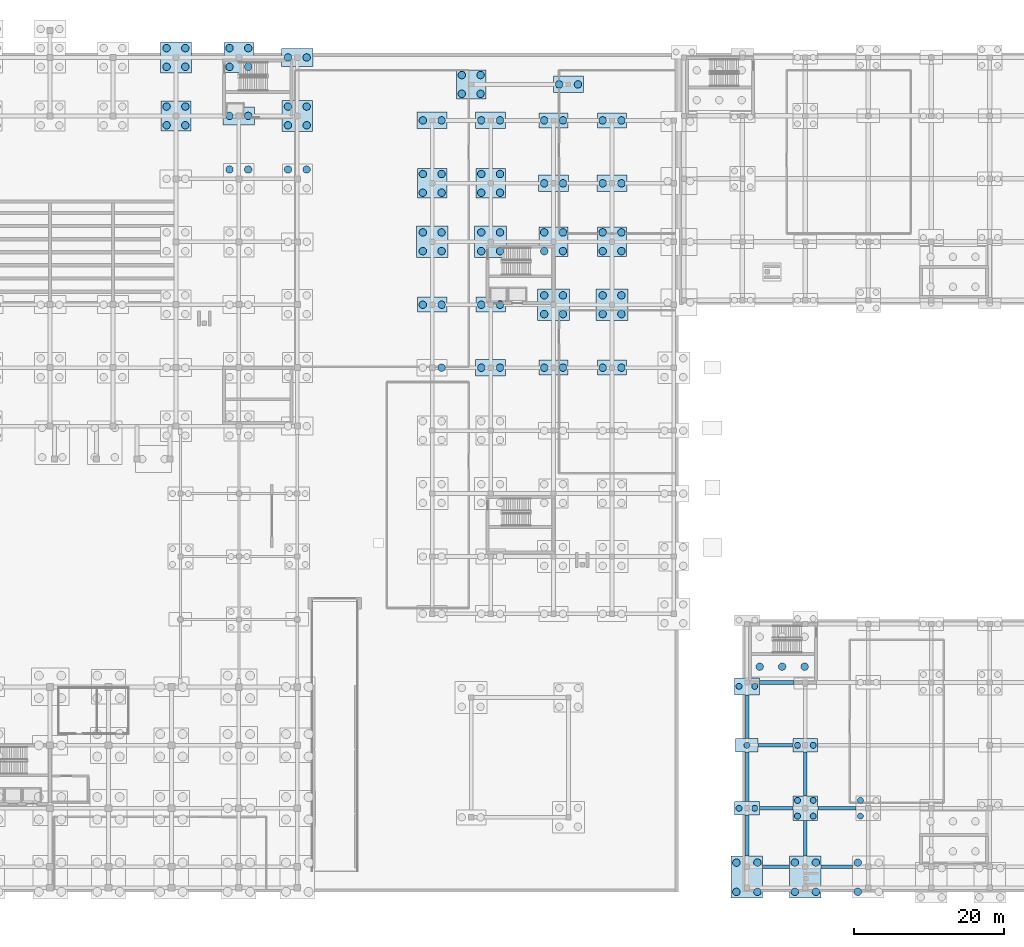
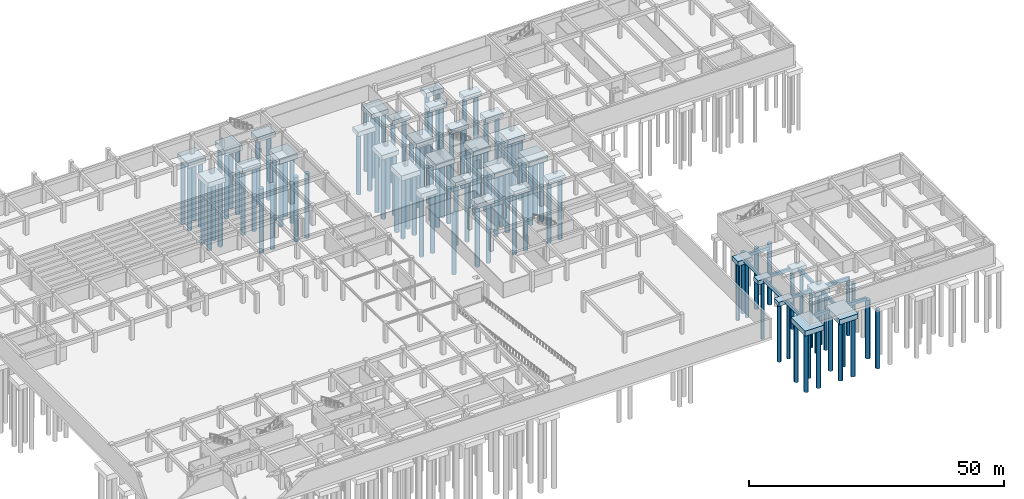
# One storey, part 4 of 35: 111 piles, 45 footings.
"""IFC4 building model written with IfcOpenShell, lengths in metres."""

from ifc_helpers import new_model, si_unit, direction, frame, origin, origin_2d, place, context, subcontext, project, spatial, rectangle, circle, extrude, material, material_profile, profile_set, type_object, element, save


model = new_model("IFC4")

# Units and contexts
model_context = context("Model", 3, precision=1e-05, world=origin(), true_north=direction((0.0, 1.0)))
body_context = subcontext(model_context, "Body", "Model", "MODEL_VIEW")
ifc_project = project(units=[si_unit("LENGTHUNIT", "METRE"), si_unit("AREAUNIT", "SQUARE_METRE"), si_unit("VOLUMEUNIT", "CUBIC_METRE"), si_unit("PLANEANGLEUNIT", "RADIAN"), si_unit("MASSUNIT", "GRAM", prefix="KILO")], contexts=[model_context])

# Site, building, storey
site_placement = place(None, origin())
site = spatial("IfcSite", under=ifc_project, at=site_placement, CompositionType="ELEMENT")
building_placement = place(site_placement, origin())
building = spatial("IfcBuilding", under=site, at=building_placement, Name="Zayran Congress Hotel", CompositionType="ELEMENT")
storey_placement = place(building_placement, frame((0.0, 0.0, -4.800048828125)))
storey = spatial("IfcBuildingStorey", under=building, at=storey_placement, Name="B1", CompositionType="ELEMENT", Elevation=-4.800048828125)

# Piles
ifc_material = material(Name="Concrete C40/50", Category="concrete")
ifc_material_profile_1 = material_profile(ifc_material, circle(Radius=0.5, at=origin_2d()), Name="PILE D1000")
ifc_profile_set_1 = profile_set([ifc_material_profile_1], Name="Concrete C40/50")
pile_type_1 = type_object("IfcPileType", Name="TP-PL-1000", PredefinedType="BORED", material=ifc_profile_set_1)
for number, where, z_axis, x_axis, name in (
    (1, (153.5, 36.10009765625, -1.599853515625), (0.0, 0.0, -1.0), (1.0, 0.0, 0.0), "PIL-0013"),
    (2, (156.5, 36.10009765625, -1.599853515625), (0.0, 0.0, -1.0), (1.0, 0.0, 0.0), "PIL-0015"),
    (3, (159.5, 36.10009765625, -1.599853515625), (0.0, 0.0, -1.0), (1.0, 0.0, 0.0), "PIL-0017"),
):
    element("IfcPile", number, at=place(storey_placement, frame(where, z_axis=z_axis, x_axis=x_axis)), inside=storey, type_object=pile_type_1, Name=name, PredefinedType="BORED", context=body_context, shape_type="SweptSolid", body=[
        extrude(circle(Radius=0.5, at=origin_2d()), origin(), (0.0, 0.0, 1.0), 14.60009765625),
    ])
for number, where, z_axis, x_axis, name in (
    (4, (74.35009765625, 108.35009765625, -1.699951171875), (0.0, 0.0, -1.0), (1.0, 0.0, 0.0), "PIL-0339"),
    (5, (76.85009765625, 108.35009765625, -1.699951171875), (0.0, 0.0, -1.0), (1.0, 0.0, 0.0), "PIL-0340"),
    (6, (74.35009765625, 110.85009765625, -1.699951171875), (0.0, 0.0, -1.0), (1.0, 0.0, 0.0), "PIL-0341"),
    (7, (76.85009765625, 110.85009765625, -1.699951171875), (0.0, 0.0, -1.0), (1.0, 0.0, 0.0), "PIL-0342"),
    (8, (74.35009765625, 116.14990234375, -1.699951171875), (0.0, 0.0, -1.0), (1.0, 0.0, 0.0), "PIL-0343"),
    (9, (76.85009765625, 116.14990234375, -1.699951171875), (0.0, 0.0, -1.0), (1.0, 0.0, 0.0), "PIL-0344"),
    (10, (74.35009765625, 118.64990234375, -1.699951171875), (0.0, 0.0, -1.0), (1.0, 0.0, 0.0), "PIL-0345"),
    (11, (76.85009765625, 118.64990234375, -1.699951171875), (0.0, 0.0, -1.0), (1.0, 0.0, 0.0), "PIL-0346"),
    (12, (82.75, 102.449951171875, -1.699951171875), (0.0, 0.0, -1.0), (1.0, 0.0, 0.0), "PIL-0391"),
    (13, (85.25, 102.449951171875, -1.699951171875), (0.0, 0.0, -1.0), (1.0, 0.0, 0.0), "PIL-0392"),
    (14, (82.75, 109.60009765625, -1.699951171875), (0.0, 0.0, -1.0), (1.0, 0.0, 0.0), "PIL-0393"),
    (15, (85.25, 109.60009765625, -1.699951171875), (0.0, 0.0, -1.0), (1.0, 0.0, 0.0), "PIL-0394"),
    (16, (82.75, 116.14990234375, -1.699951171875), (0.0, 0.0, -1.0), (1.0, 0.0, 0.0), "PIL-0395"),
    (17, (85.25, 116.14990234375, -1.699951171875), (0.0, 0.0, -1.0), (1.0, 0.0, 0.0), "PIL-0396"),
    (18, (82.75, 118.64990234375, -1.699951171875), (0.0, 0.0, -1.0), (1.0, 0.0, 0.0), "PIL-0397"),
    (19, (85.25, 118.64990234375, -1.699951171875), (0.0, 0.0, -1.0), (1.0, 0.0, 0.0), "PIL-0398"),
    (20, (90.550048828125, 102.449951171875, -1.699951171875), (0.0, 0.0, -1.0), (1.0, 0.0, 0.0), "PIL-0434"),
    (21, (93.050048828125, 102.449951171875, -1.699951171875), (0.0, 0.0, -1.0), (1.0, 0.0, 0.0), "PIL-0435"),
    (22, (90.550048828125, 108.35009765625, -1.699951171875), (0.0, 0.0, -1.0), (1.0, 0.0, 0.0), "PIL-0436"),
    (23, (93.050048828125, 108.35009765625, -1.699951171875), (0.0, 0.0, -1.0), (1.0, 0.0, 0.0), "PIL-0437"),
    (24, (90.550048828125, 110.85009765625, -1.699951171875), (0.0, 0.0, -1.0), (1.0, 0.0, 0.0), "PIL-0438"),
    (25, (93.050048828125, 110.85009765625, -1.699951171875), (0.0, 0.0, -1.0), (1.0, 0.0, 0.0), "PIL-0439"),
    (26, (90.550048828125, 117.39990234375, -1.699951171875), (0.0, 0.0, -1.0), (1.0, 0.0, 0.0), "PIL-0440"),
    (27, (93.050048828125, 117.39990234375, -1.699951171875), (0.0, 0.0, -1.0), (1.0, 0.0, 0.0), "PIL-0441"),
):
    element("IfcPile", number, at=place(storey_placement, frame(where, z_axis=z_axis, x_axis=x_axis)), inside=storey, type_object=pile_type_1, Name=name, PredefinedType="BORED", context=body_context, shape_type="SweptSolid", body=[
        extrude(circle(Radius=0.5, at=origin_2d()), origin(), (0.0, 0.0, 1.0), 15.5),
    ])
for number, where, z_axis, x_axis, name in (
    (28, (111.050048828125, 76.0, -1.599853515625), (0.0, 0.0, -1.0), (1.0, 0.0, 0.0), "PIL-0455"),
    (29, (108.550048828125, 84.39990234375, -1.599853515625), (0.0, 0.0, -1.0), (1.0, 0.0, 0.0), "PIL-0456"),
    (30, (111.050048828125, 84.39990234375, -1.599853515625), (0.0, 0.0, -1.0), (1.0, 0.0, 0.0), "PIL-0457"),
):
    element("IfcPile", number, at=place(storey_placement, frame(where, z_axis=z_axis, x_axis=x_axis)), inside=storey, type_object=pile_type_1, Name=name, PredefinedType="BORED", context=body_context, shape_type="SweptSolid", body=[
        extrude(circle(Radius=0.5, at=origin_2d()), origin(), (0.0, 0.0, 1.0), 14.60009765625),
    ])
for number, where, z_axis, x_axis, name in (
    (31, (108.550048828125, 91.550048828125, -1.699951171875), (0.0, 0.0, -1.0), (1.0, 0.0, 0.0), "PIL-0458"),
    (32, (111.050048828125, 91.550048828125, -1.699951171875), (0.0, 0.0, -1.0), (1.0, 0.0, 0.0), "PIL-0459"),
    (33, (108.550048828125, 94.050048828125, -1.699951171875), (0.0, 0.0, -1.0), (1.0, 0.0, 0.0), "PIL-0460"),
    (34, (111.050048828125, 94.050048828125, -1.699951171875), (0.0, 0.0, -1.0), (1.0, 0.0, 0.0), "PIL-0461"),
):
    element("IfcPile", number, at=place(storey_placement, frame(where, z_axis=z_axis, x_axis=x_axis)), inside=storey, type_object=pile_type_1, Name=name, PredefinedType="BORED", context=body_context, shape_type="SweptSolid", body=[
        extrude(circle(Radius=0.5, at=origin_2d()), origin(), (0.0, 0.0, 1.0), 14.5),
    ])
for number, where, z_axis, x_axis, name in (
    (35, (108.550048828125, 99.35009765625, -1.599853515625), (0.0, 0.0, -1.0), (1.0, 0.0, 0.0), "PIL-0462"),
    (36, (111.050048828125, 99.35009765625, -1.599853515625), (0.0, 0.0, -1.0), (1.0, 0.0, 0.0), "PIL-0463"),
    (37, (108.550048828125, 101.85009765625, -1.599853515625), (0.0, 0.0, -1.0), (1.0, 0.0, 0.0), "PIL-0464"),
    (38, (111.050048828125, 101.85009765625, -1.599853515625), (0.0, 0.0, -1.0), (1.0, 0.0, 0.0), "PIL-0465"),
    (39, (108.550048828125, 109.0, -1.599853515625), (0.0, 0.0, -1.0), (1.0, 0.0, 0.0), "PIL-0466"),
    (40, (111.050048828125, 109.0, -1.599853515625), (0.0, 0.0, -1.0), (1.0, 0.0, 0.0), "PIL-0467"),
    (41, (113.75, 112.550048828125, -1.599853515625), (0.0, 0.0, -1.0), (1.0, 0.0, 0.0), "PIL-0474"),
    (42, (116.25, 112.550048828125, -1.599853515625), (0.0, 0.0, -1.0), (1.0, 0.0, 0.0), "PIL-0475"),
    (43, (113.75, 115.050048828125, -1.599853515625), (0.0, 0.0, -1.0), (1.0, 0.0, 0.0), "PIL-0476"),
    (44, (116.25, 115.050048828125, -1.599853515625), (0.0, 0.0, -1.0), (1.0, 0.0, 0.0), "PIL-0477"),
    (45, (116.35009765625, 76.0, -1.599853515625), (0.0, 0.0, -1.0), (1.0, 0.0, 0.0), "PIL-0490"),
    (46, (118.85009765625, 76.0, -1.599853515625), (0.0, 0.0, -1.0), (1.0, 0.0, 0.0), "PIL-0491"),
    (47, (116.35009765625, 84.39990234375, -1.599853515625), (0.0, 0.0, -1.0), (1.0, 0.0, 0.0), "PIL-0492"),
    (48, (118.85009765625, 84.39990234375, -1.599853515625), (0.0, 0.0, -1.0), (1.0, 0.0, 0.0), "PIL-0493"),
):
    element("IfcPile", number, at=place(storey_placement, frame(where, z_axis=z_axis, x_axis=x_axis)), inside=storey, type_object=pile_type_1, Name=name, PredefinedType="BORED", context=body_context, shape_type="SweptSolid", body=[
        extrude(circle(Radius=0.5, at=origin_2d()), origin(), (0.0, 0.0, 1.0), 14.60009765625),
    ])
for number, where, z_axis, x_axis, name in (
    (49, (116.35009765625, 91.550048828125, -1.699951171875), (0.0, 0.0, -1.0), (1.0, 0.0, 0.0), "PIL-0494"),
    (50, (118.85009765625, 91.550048828125, -1.699951171875), (0.0, 0.0, -1.0), (1.0, 0.0, 0.0), "PIL-0495"),
    (51, (116.35009765625, 94.050048828125, -1.699951171875), (0.0, 0.0, -1.0), (1.0, 0.0, 0.0), "PIL-0496"),
    (52, (118.85009765625, 94.050048828125, -1.699951171875), (0.0, 0.0, -1.0), (1.0, 0.0, 0.0), "PIL-0497"),
):
    element("IfcPile", number, at=place(storey_placement, frame(where, z_axis=z_axis, x_axis=x_axis)), inside=storey, type_object=pile_type_1, Name=name, PredefinedType="BORED", context=body_context, shape_type="SweptSolid", body=[
        extrude(circle(Radius=0.5, at=origin_2d()), origin(), (0.0, 0.0, 1.0), 14.5),
    ])
for number, where, z_axis, x_axis, name in (
    (53, (116.35009765625, 99.35009765625, -1.599853515625), (0.0, 0.0, -1.0), (1.0, 0.0, 0.0), "PIL-0498"),
    (54, (118.85009765625, 99.35009765625, -1.599853515625), (0.0, 0.0, -1.0), (1.0, 0.0, 0.0), "PIL-0499"),
    (55, (116.35009765625, 101.85009765625, -1.599853515625), (0.0, 0.0, -1.0), (1.0, 0.0, 0.0), "PIL-0500"),
    (56, (118.85009765625, 101.85009765625, -1.599853515625), (0.0, 0.0, -1.0), (1.0, 0.0, 0.0), "PIL-0501"),
    (57, (116.35009765625, 109.0, -1.599853515625), (0.0, 0.0, -1.0), (1.0, 0.0, 0.0), "PIL-0502"),
    (58, (118.85009765625, 109.0, -1.599853515625), (0.0, 0.0, -1.0), (1.0, 0.0, 0.0), "PIL-0503"),
    (59, (124.75, 76.0, -1.599853515625), (0.0, 0.0, -1.0), (1.0, 0.0, 0.0), "PIL-0516"),
    (60, (127.25, 76.0, -1.599853515625), (0.0, 0.0, -1.0), (1.0, 0.0, 0.0), "PIL-0517"),
):
    element("IfcPile", number, at=place(storey_placement, frame(where, z_axis=z_axis, x_axis=x_axis)), inside=storey, type_object=pile_type_1, Name=name, PredefinedType="BORED", context=body_context, shape_type="SweptSolid", body=[
        extrude(circle(Radius=0.5, at=origin_2d()), origin(), (0.0, 0.0, 1.0), 14.60009765625),
    ])
for number, where, z_axis, x_axis, name in (
    (61, (124.75, 83.14990234375, -1.699951171875), (0.0, 0.0, -1.0), (1.0, 0.0, 0.0), "PIL-0518"),
    (62, (127.25, 83.14990234375, -1.699951171875), (0.0, 0.0, -1.0), (1.0, 0.0, 0.0), "PIL-0519"),
    (63, (124.75, 85.64990234375, -1.699951171875), (0.0, 0.0, -1.0), (1.0, 0.0, 0.0), "PIL-0520"),
    (64, (127.25, 85.64990234375, -1.699951171875), (0.0, 0.0, -1.0), (1.0, 0.0, 0.0), "PIL-0521"),
):
    element("IfcPile", number, at=place(storey_placement, frame(where, z_axis=z_axis, x_axis=x_axis)), inside=storey, type_object=pile_type_1, Name=name, PredefinedType="BORED", context=body_context, shape_type="SweptSolid", body=[
        extrude(circle(Radius=0.5, at=origin_2d()), origin(), (0.0, 0.0, 1.0), 14.5),
    ])
for number, where, z_axis, x_axis, name in (
    (65, (124.75, 91.550048828125, -1.599853515625), (0.0, 0.0, -1.0), (1.0, 0.0, 0.0), "PIL-0522"),
    (66, (127.25, 91.550048828125, -1.599853515625), (0.0, 0.0, -1.0), (1.0, 0.0, 0.0), "PIL-0523"),
    (67, (124.75, 94.050048828125, -1.599853515625), (0.0, 0.0, -1.0), (1.0, 0.0, 0.0), "PIL-0524"),
    (68, (127.25, 94.050048828125, -1.599853515625), (0.0, 0.0, -1.0), (1.0, 0.0, 0.0), "PIL-0525"),
    (69, (124.75, 100.60009765625, -1.599853515625), (0.0, 0.0, -1.0), (1.0, 0.0, 0.0), "PIL-0526"),
    (70, (127.25, 100.60009765625, -1.599853515625), (0.0, 0.0, -1.0), (1.0, 0.0, 0.0), "PIL-0527"),
    (71, (124.75, 109.0, -1.599853515625), (0.0, 0.0, -1.0), (1.0, 0.0, 0.0), "PIL-0528"),
    (72, (127.25, 109.0, -1.599853515625), (0.0, 0.0, -1.0), (1.0, 0.0, 0.0), "PIL-0529"),
    (73, (126.75, 113.800048828125, -1.599853515625), (0.0, 0.0, -1.0), (1.0, 0.0, 0.0), "PIL-0538"),
    (74, (129.25, 113.800048828125, -1.599853515625), (0.0, 0.0, -1.0), (1.0, 0.0, 0.0), "PIL-0539"),
    (75, (132.550048828125, 76.0, -1.599853515625), (0.0, 0.0, -1.0), (1.0, 0.0, 0.0), "PIL-0552"),
    (76, (135.050048828125, 76.0, -1.599853515625), (0.0, 0.0, -1.0), (1.0, 0.0, 0.0), "PIL-0553"),
):
    element("IfcPile", number, at=place(storey_placement, frame(where, z_axis=z_axis, x_axis=x_axis)), inside=storey, type_object=pile_type_1, Name=name, PredefinedType="BORED", context=body_context, shape_type="SweptSolid", body=[
        extrude(circle(Radius=0.5, at=origin_2d()), origin(), (0.0, 0.0, 1.0), 14.60009765625),
    ])
for number, where, z_axis, x_axis, name in (
    (77, (132.550048828125, 83.14990234375, -1.699951171875), (0.0, 0.0, -1.0), (1.0, 0.0, 0.0), "PIL-0554"),
    (78, (135.050048828125, 83.14990234375, -1.699951171875), (0.0, 0.0, -1.0), (1.0, 0.0, 0.0), "PIL-0555"),
    (79, (132.550048828125, 85.64990234375, -1.699951171875), (0.0, 0.0, -1.0), (1.0, 0.0, 0.0), "PIL-0556"),
    (80, (135.050048828125, 85.64990234375, -1.699951171875), (0.0, 0.0, -1.0), (1.0, 0.0, 0.0), "PIL-0557"),
):
    element("IfcPile", number, at=place(storey_placement, frame(where, z_axis=z_axis, x_axis=x_axis)), inside=storey, type_object=pile_type_1, Name=name, PredefinedType="BORED", context=body_context, shape_type="SweptSolid", body=[
        extrude(circle(Radius=0.5, at=origin_2d()), origin(), (0.0, 0.0, 1.0), 14.5),
    ])
for number, where, z_axis, x_axis, name in (
    (81, (132.550048828125, 91.550048828125, -1.599853515625), (0.0, 0.0, -1.0), (1.0, 0.0, 0.0), "PIL-0558"),
    (82, (135.050048828125, 91.550048828125, -1.599853515625), (0.0, 0.0, -1.0), (1.0, 0.0, 0.0), "PIL-0559"),
    (83, (132.550048828125, 94.050048828125, -1.599853515625), (0.0, 0.0, -1.0), (1.0, 0.0, 0.0), "PIL-0560"),
    (84, (135.050048828125, 94.050048828125, -1.599853515625), (0.0, 0.0, -1.0), (1.0, 0.0, 0.0), "PIL-0561"),
    (85, (132.550048828125, 100.60009765625, -1.599853515625), (0.0, 0.0, -1.0), (1.0, 0.0, 0.0), "PIL-0562"),
    (86, (135.050048828125, 100.60009765625, -1.599853515625), (0.0, 0.0, -1.0), (1.0, 0.0, 0.0), "PIL-0563"),
    (87, (132.550048828125, 109.0, -1.599853515625), (0.0, 0.0, -1.0), (1.0, 0.0, 0.0), "PIL-0564"),
    (88, (135.050048828125, 109.0, -1.599853515625), (0.0, 0.0, -1.0), (1.0, 0.0, 0.0), "PIL-0565"),
):
    element("IfcPile", number, at=place(storey_placement, frame(where, z_axis=z_axis, x_axis=x_axis)), inside=storey, type_object=pile_type_1, Name=name, PredefinedType="BORED", context=body_context, shape_type="SweptSolid", body=[
        extrude(circle(Radius=0.5, at=origin_2d()), origin(), (0.0, 0.0, 1.0), 14.60009765625),
    ])
for number, where, z_axis, x_axis, name in (
    (89, (150.39990234375, 6.050048828125, -1.699951171875), (0.0, 0.0, -1.0), (1.0, 0.0, 0.0), "PIL-0602"),
    (90, (153.199951171875, 6.050048828125, -1.699951171875), (0.0, 0.0, -1.0), (1.0, 0.0, 0.0), "PIL-0603"),
    (91, (150.39990234375, 9.949951171875, -1.699951171875), (0.0, 0.0, -1.0), (1.0, 0.0, 0.0), "PIL-0604"),
    (92, (153.199951171875, 9.949951171875, -1.699951171875), (0.0, 0.0, -1.0), (1.0, 0.0, 0.0), "PIL-0605"),
    (93, (158.199951171875, 6.050048828125, -1.699951171875), (0.0, 0.0, -1.0), (1.0, 0.0, 0.0), "PIL-0613"),
    (94, (161.0, 6.050048828125, -1.699951171875), (0.0, 0.0, -1.0), (1.0, 0.0, 0.0), "PIL-0614"),
    (95, (158.199951171875, 9.949951171875, -1.699951171875), (0.0, 0.0, -1.0), (1.0, 0.0, 0.0), "PIL-0615"),
    (96, (161.0, 9.949951171875, -1.699951171875), (0.0, 0.0, -1.0), (1.0, 0.0, 0.0), "PIL-0616"),
    (97, (166.60009765625, 6.050048828125, -1.699951171875), (0.0, 0.0, -1.0), (1.0, 0.0, 0.0), "PIL-0635"),
    (98, (166.60009765625, 9.949951171875, -1.699951171875), (0.0, 0.0, -1.0), (1.0, 0.0, 0.0), "PIL-0637"),
):
    element("IfcPile", number, at=place(storey_placement, frame(where, z_axis=z_axis, x_axis=x_axis)), inside=storey, type_object=pile_type_1, Name=name, PredefinedType="BORED", context=body_context, shape_type="SweptSolid", body=[
        extrude(circle(Radius=0.5, at=origin_2d()), origin(), (0.0, 0.0, 1.0), 14.0),
    ])
ifc_material_profile_2 = material_profile(ifc_material, circle(Radius=0.39990234375, at=origin_2d()), Name="PILE D800")
ifc_profile_set_2 = profile_set([ifc_material_profile_2], Name="Concrete C40/50")
pile_type_2 = type_object("IfcPileType", Name="TP-PL-800", PredefinedType="BORED", material=ifc_profile_set_2)
for number, where, z_axis, x_axis, name in (
    (99, (150.75, 17.199951171875, -1.5), (0.0, 0.0, -1.0), (1.0, 0.0, 0.0), "PIL-0606"),
    (100, (152.85009765625, 17.199951171875, -1.5), (0.0, 0.0, -1.0), (1.0, 0.0, 0.0), "PIL-0607"),
    (101, (151.800048828125, 25.60009765625, -1.5), (0.0, 0.0, -1.0), (1.0, 0.0, 0.0), "PIL-0608"),
):
    element("IfcPile", number, at=place(storey_placement, frame(where, z_axis=z_axis, x_axis=x_axis)), inside=storey, type_object=pile_type_2, Name=name, PredefinedType="BORED", context=body_context, shape_type="SweptSolid", body=[
        extrude(circle(Radius=0.39990234375, at=origin_2d()), origin(), (0.0, 0.0, 1.0), 13.89990234375),
    ])
for number, where, z_axis, x_axis, name in (
    (102, (150.75, 33.47509765625, -1.599853515625), (0.0, 0.0, -1.0), (1.0, 0.0, 0.0), "PIL-0609"),
    (103, (152.85009765625, 33.47509765625, -1.599853515625), (0.0, 0.0, -1.0), (1.0, 0.0, 0.0), "PIL-0610"),
    (104, (158.550048828125, 16.14990234375, -1.599853515625), (0.0, 0.0, -1.0), (1.0, 0.0, 0.0), "PIL-0617"),
    (105, (160.64990234375, 16.14990234375, -1.599853515625), (0.0, 0.0, -1.0), (1.0, 0.0, 0.0), "PIL-0618"),
    (106, (158.550048828125, 18.25, -1.599853515625), (0.0, 0.0, -1.0), (1.0, 0.0, 0.0), "PIL-0619"),
    (107, (160.64990234375, 18.25, -1.599853515625), (0.0, 0.0, -1.0), (1.0, 0.0, 0.0), "PIL-0620"),
):
    element("IfcPile", number, at=place(storey_placement, frame(where, z_axis=z_axis, x_axis=x_axis)), inside=storey, type_object=pile_type_2, Name=name, PredefinedType="BORED", context=body_context, shape_type="SweptSolid", body=[
        extrude(circle(Radius=0.39990234375, at=origin_2d()), origin(), (0.0, 0.0, 1.0), 13.800048828125),
    ])
for number, where, z_axis, x_axis, name in (
    (108, (158.550048828125, 25.60009765625, -1.5), (0.0, 0.0, -1.0), (1.0, 0.0, 0.0), "PIL-0621"),
    (109, (160.64990234375, 25.60009765625, -1.5), (0.0, 0.0, -1.0), (1.0, 0.0, 0.0), "PIL-0622"),
):
    element("IfcPile", number, at=place(storey_placement, frame(where, z_axis=z_axis, x_axis=x_axis)), inside=storey, type_object=pile_type_2, Name=name, PredefinedType="BORED", context=body_context, shape_type="SweptSolid", body=[
        extrude(circle(Radius=0.39990234375, at=origin_2d()), origin(), (0.0, 0.0, 1.0), 13.89990234375),
    ])
for number, where, z_axis, x_axis, name in (
    (110, (166.949951171875, 16.14990234375, -1.599853515625), (0.0, 0.0, -1.0), (1.0, 0.0, 0.0), "PIL-0639"),
    (111, (166.949951171875, 18.25, -1.599853515625), (0.0, 0.0, -1.0), (1.0, 0.0, 0.0), "PIL-0641"),
):
    element("IfcPile", number, at=place(storey_placement, frame(where, z_axis=z_axis, x_axis=x_axis)), inside=storey, type_object=pile_type_2, Name=name, PredefinedType="BORED", context=body_context, shape_type="SweptSolid", body=[
        extrude(circle(Radius=0.39990234375, at=origin_2d()), origin(), (0.0, 0.0, 1.0), 13.800048828125),
    ])

# Footings
footing_type_1 = type_object("IfcFootingType", Name="TP-PC-04", PredefinedType="PILE_CAP", material=ifc_material)
for number, where, z_axis, x_axis, name in (
    (112, (75.60009765625, 109.60009765625, -1.7998046875), (0.0, 0.0, 1.0), (1.0, 0.0, 0.0), "FTG-CAP-093"),
    (113, (84.0, 117.39990234375, -1.7998046875), (0.0, 0.0, 1.0), (1.0, 0.0, 0.0), "FTG-CAP-111"),
):
    element("IfcFooting", number, at=place(storey_placement, frame(where, z_axis=z_axis, x_axis=x_axis)), inside=storey, type_object=footing_type_1, Name=name, PredefinedType="PILE_CAP", context=body_context, shape_type="SweptSolid", body=[
        extrude(rectangle(XDim=4.0, YDim=4.0, at=origin_2d()), origin(), (0.0, 0.0, 1.0), 1.199951171875),
    ])
footing_type_2 = type_object("IfcFootingType", Name="TP-PC-05", PredefinedType="PILE_CAP", material=ifc_material)
for number, where, z_axis, x_axis, name in (
    (114, (75.60009765625, 117.39990234375, -1.7998046875), (0.0, 0.0, 1.0), (1.0, 0.0, 0.0), "FTG-CAP-094"),
    (115, (91.800048828125, 109.60009765625, -1.7998046875), (0.0, 0.0, 1.0), (1.0, 0.0, 0.0), "FTG-CAP-124"),
):
    element("IfcFooting", number, at=place(storey_placement, frame(where, z_axis=z_axis, x_axis=x_axis)), inside=storey, type_object=footing_type_2, Name=name, PredefinedType="PILE_CAP", context=body_context, shape_type="SweptSolid", body=[
        extrude(rectangle(XDim=4.10009765625, YDim=4.10009765625, at=origin_2d()), origin(), (0.0, 0.0, 1.0), 1.199951171875),
    ])
footing_type_3 = type_object("IfcFootingType", Name="TP-PC-06", PredefinedType="PILE_CAP", material=ifc_material)
for number, where, z_axis, x_axis, name in (
    (116, (109.800048828125, 92.800048828125, -1.7998046875), (0.0, 0.0, 1.0), (1.0, 0.0, 0.0), "FTG-CAP-132"),
    (117, (117.60009765625, 92.800048828125, -1.7998046875), (0.0, 0.0, 1.0), (1.0, 0.0, 0.0), "FTG-CAP-144"),
    (118, (126.0, 84.39990234375, -1.7998046875), (0.0, 0.0, 1.0), (1.0, 0.0, 0.0), "FTG-CAP-152"),
    (119, (133.800048828125, 84.39990234375, -1.7998046875), (0.0, 0.0, 1.0), (1.0, 0.0, 0.0), "FTG-CAP-164"),
):
    element("IfcFooting", number, at=place(storey_placement, frame(where, z_axis=z_axis, x_axis=x_axis)), inside=storey, type_object=footing_type_3, Name=name, PredefinedType="PILE_CAP", context=body_context, shape_type="SweptSolid", body=[
        extrude(rectangle(XDim=4.25, YDim=4.25, at=origin_2d()), origin(), (0.0, 0.0, 1.0), 1.199951171875),
    ])
footing_type_4 = type_object("IfcFootingType", Name="TP-PC-07", PredefinedType="PILE_CAP", material=ifc_material)
for number, where, z_axis, x_axis, name in (
    (120, (109.800048828125, 100.60009765625, -1.699951171875), (0.0, 0.0, 1.0), (1.0, 0.0, 0.0), "FTG-CAP-133"),
    (121, (115.0, 113.800048828125, -1.699951171875), (0.0, 0.0, 1.0), (1.0, 0.0, 0.0), "FTG-CAP-137"),
    (122, (117.60009765625, 100.60009765625, -1.699951171875), (0.0, 0.0, 1.0), (1.0, 0.0, 0.0), "FTG-CAP-145"),
    (123, (126.0, 92.800048828125, -1.699951171875), (0.0, 0.0, 1.0), (1.0, 0.0, 0.0), "FTG-CAP-153"),
    (124, (133.800048828125, 92.800048828125, -1.699951171875), (0.0, 0.0, 1.0), (1.0, 0.0, 0.0), "FTG-CAP-165"),
):
    element("IfcFooting", number, at=place(storey_placement, frame(where, z_axis=z_axis, x_axis=x_axis)), inside=storey, type_object=footing_type_4, Name=name, PredefinedType="PILE_CAP", context=body_context, shape_type="SweptSolid", body=[
        extrude(rectangle(XDim=3.89990234375, YDim=3.89990234375, at=origin_2d()), origin(), (0.0, 0.0, 1.0), 1.10009765625),
    ])
footing_type_5 = type_object("IfcFootingType", Name="TP-PC-08", PredefinedType="PILE_CAP", material=ifc_material)
footing_1_placement = place(storey_placement, frame((159.60009765625, 17.199951171875, -1.699951171875), z_axis=(0.0, 0.0, 1.0), x_axis=(1.0, 0.0, 0.0)))
element("IfcFooting", 125, at=footing_1_placement, inside=storey, type_object=footing_type_5, Name="FTG-CAP-189", PredefinedType="PILE_CAP", context=body_context, shape_type="SweptSolid", body=[
    extrude(rectangle(XDim=3.300048828125, YDim=3.300048828125, at=origin_2d()), origin(), (0.0, 0.0, 1.0), 1.10009765625),
])
footing_type_6 = type_object("IfcFootingType", Name="TP-PC-10", PredefinedType="PILE_CAP", material=ifc_material)
for number, where, z_axis, x_axis, name in (
    (126, (84.0, 109.60009765625, -1.7998046875), (0.0, 0.0, 1.0), (1.0, 0.0, 0.0), "FTG-CAP-110"),
    (127, (91.800048828125, 117.39990234375, -1.7998046875), (0.0, 0.0, 1.0), (1.0, 0.0, 0.0), "FTG-CAP-125"),
):
    element("IfcFooting", number, at=place(storey_placement, frame(where, z_axis=z_axis, x_axis=x_axis)), inside=storey, type_object=footing_type_6, Name=name, PredefinedType="PILE_CAP", context=body_context, shape_type="SweptSolid", body=[
        extrude(rectangle(XDim=4.199951171875, YDim=2.39990234375, at=origin_2d()), origin(), (0.0, 0.0, 1.0), 1.199951171875),
    ])
footing_type_7 = type_object("IfcFootingType", Name="TP-PC-11", PredefinedType="PILE_CAP", material=ifc_material)
for number, where, z_axis, x_axis, name in (
    (128, (109.800048828125, 109.0, -1.699951171875), (0.0, 0.0, 1.0), (1.0, 0.0, 0.0), "FTG-CAP-134"),
    (129, (117.60009765625, 76.0, -1.699951171875), (0.0, 0.0, 1.0), (1.0, 0.0, 0.0), "FTG-CAP-142"),
    (130, (117.60009765625, 109.0, -1.699951171875), (0.0, 0.0, 1.0), (1.0, 0.0, 0.0), "FTG-CAP-146"),
    (131, (126.0, 100.60009765625, -1.699951171875), (0.0, 0.0, 1.0), (1.0, 0.0, 0.0), "FTG-CAP-154"),
    (132, (128.0, 113.800048828125, -1.699951171875), (0.0, 0.0, 1.0), (1.0, 0.0, 0.0), "FTG-CAP-158"),
    (133, (133.800048828125, 100.60009765625, -1.699951171875), (0.0, 0.0, 1.0), (1.0, 0.0, 0.0), "FTG-CAP-166"),
):
    element("IfcFooting", number, at=place(storey_placement, frame(where, z_axis=z_axis, x_axis=x_axis)), inside=storey, type_object=footing_type_7, Name=name, PredefinedType="PILE_CAP", context=body_context, shape_type="SweptSolid", body=[
        extrude(rectangle(XDim=4.0, YDim=2.199951171875, at=origin_2d()), origin(), (0.0, 0.0, 1.0), 1.10009765625),
    ])
footing_type_8 = type_object("IfcFootingType", Name="TP-PC-12", PredefinedType="PILE_CAP", material=ifc_material)
for number, where, z_axis, x_axis, name in (
    (134, (109.800048828125, 84.39990234375, -1.699951171875), (0.0, 0.0, 1.0), (1.0, 0.0, 0.0), "FTG-CAP-131"),
    (135, (117.60009765625, 84.39990234375, -1.699951171875), (0.0, 0.0, 1.0), (1.0, 0.0, 0.0), "FTG-CAP-143"),
    (136, (126.0, 76.0, -1.699951171875), (0.0, 0.0, 1.0), (1.0, 0.0, 0.0), "FTG-CAP-151"),
    (137, (126.0, 109.0, -1.699951171875), (0.0, 0.0, 1.0), (1.0, 0.0, 0.0), "FTG-CAP-155"),
    (138, (133.800048828125, 76.0, -1.699951171875), (0.0, 0.0, 1.0), (1.0, 0.0, 0.0), "FTG-CAP-163"),
    (139, (133.800048828125, 109.0, -1.699951171875), (0.0, 0.0, 1.0), (1.0, 0.0, 0.0), "FTG-CAP-167"),
):
    element("IfcFooting", number, at=place(storey_placement, frame(where, z_axis=z_axis, x_axis=x_axis)), inside=storey, type_object=footing_type_8, Name=name, PredefinedType="PILE_CAP", context=body_context, shape_type="SweptSolid", body=[
        extrude(rectangle(XDim=3.89990234375, YDim=2.0, at=origin_2d()), origin(), (0.0, 0.0, 1.0), 1.10009765625),
    ])
footing_type_9 = type_object("IfcFootingType", Name="TP-PC-13", PredefinedType="PILE_CAP", material=ifc_material)
for number, where, z_axis, x_axis, name in (
    (140, (151.800048828125, 17.199951171875, -1.599853515625), (0.0, 0.0, 1.0), (1.0, 0.0, 0.0), "FTG-CAP-184"),
    (141, (159.60009765625, 25.60009765625, -1.599853515625), (0.0, 0.0, 1.0), (1.0, 0.0, 0.0), "FTG-CAP-190"),
):
    element("IfcFooting", number, at=place(storey_placement, frame(where, z_axis=z_axis, x_axis=x_axis)), inside=storey, type_object=footing_type_9, Name=name, PredefinedType="PILE_CAP", context=body_context, shape_type="SweptSolid", body=[
        extrude(rectangle(XDim=3.300048828125, YDim=1.800048828125, at=origin_2d()), origin(), (0.0, 0.0, 1.0), 1.0),
    ])
footing_type_10 = type_object("IfcFootingType", Name="TP-PC-14", PredefinedType="PILE_CAP", material=ifc_material)
footing_2_placement = place(storey_placement, frame((151.800048828125, 25.60009765625, -1.599853515625), z_axis=(0.0, 0.0, 1.0), x_axis=(1.0, 0.0, 0.0)))
element("IfcFooting", 142, at=footing_2_placement, inside=storey, type_object=footing_type_10, Name="FTG-CAP-185", PredefinedType="PILE_CAP", context=body_context, shape_type="SweptSolid", body=[
    extrude(rectangle(XDim=3.0, YDim=1.800048828125, at=origin_2d()), origin(), (0.0, 0.0, 1.0), 1.0),
])
footing_type_11 = type_object("IfcFootingType", Name="TP-PC-16", PredefinedType="PILE_CAP", material=ifc_material)
for number, where, z_axis, x_axis, name in (
    (143, (151.800048828125, 8.0, -1.7998046875), (0.0, 0.0, 1.0), (1.0, 0.0, 0.0), "FTG-CAP-183"),
    (144, (159.60009765625, 8.0, -1.7998046875), (0.0, 0.0, 1.0), (1.0, 0.0, 0.0), "FTG-CAP-188"),
):
    element("IfcFooting", number, at=place(storey_placement, frame(where, z_axis=z_axis, x_axis=x_axis)), inside=storey, type_object=footing_type_11, Name=name, PredefinedType="PILE_CAP", context=body_context, shape_type="SweptSolid", body=[
        extrude(rectangle(XDim=4.199951171875, YDim=5.60009765625, at=origin_2d()), origin(), (0.0, 0.0, 1.0), 1.199951171875),
    ])
footing_type_12 = type_object("IfcFootingType", Name="TP-GB-02", PredefinedType="FOOTING_BEAM", material=ifc_material)
footing_3_placement = place(storey_placement, frame((155.699951171875, 9.39990234375, -1.349853515625), z_axis=(0.0, 0.0, 1.0), x_axis=(1.0, 0.0, 0.0)))
element("IfcFooting", 145, at=footing_3_placement, inside=storey, type_object=footing_type_12, Name="FTG-GB-052", PredefinedType="FOOTING_BEAM", context=body_context, shape_type="SweptSolid", body=[
    extrude(rectangle(XDim=3.580078125, YDim=0.5, at=origin_2d()), origin(), (0.0, 0.0, 1.0), 0.75),
])
footing_4_placement = place(storey_placement, frame((163.800048828125, 9.39990234375, -1.349853515625), z_axis=(0.0, 0.0, 1.0), x_axis=(1.0, 0.0, 0.0)))
element("IfcFooting", 146, at=footing_4_placement, inside=storey, type_object=footing_type_12, Name="FTG-GB-053", PredefinedType="FOOTING_BEAM", context=body_context, shape_type="SweptSolid", body=[
    extrude(rectangle(XDim=4.179931640625, YDim=0.5, at=origin_2d()), origin(), (0.0, 0.0, 1.0), 0.75),
])
footing_5_placement = place(storey_placement, frame((155.699951171875, 17.199951171875, -1.349853515625), z_axis=(0.0, 0.0, 1.0), x_axis=(1.0, 0.0, 0.0)))
element("IfcFooting", 147, at=footing_5_placement, inside=storey, type_object=footing_type_12, Name="FTG-GB-057", PredefinedType="FOOTING_BEAM", context=body_context, shape_type="SweptSolid", body=[
    extrude(rectangle(XDim=4.47998046875, YDim=0.5, at=origin_2d()), origin(), (0.0, 0.0, 1.0), 0.75),
])
footing_6_placement = place(storey_placement, frame((163.800048828125, 17.199951171875, -1.349853515625), z_axis=(0.0, 0.0, 1.0), x_axis=(1.0, 0.0, 0.0)))
element("IfcFooting", 148, at=footing_6_placement, inside=storey, type_object=footing_type_12, Name="FTG-GB-058", PredefinedType="FOOTING_BEAM", context=body_context, shape_type="SweptSolid", body=[
    extrude(rectangle(XDim=5.080078125, YDim=0.5, at=origin_2d()), origin(), (0.0, 0.0, 1.0), 0.75),
])
for number, where, z_axis, x_axis, name in (
    (149, (155.625, 25.60009765625, -1.349853515625), (0.0, 0.0, 1.0), (1.0, 0.0, 0.0), "FTG-GB-062"),
    (150, (155.77490234375, 34.0, -1.349853515625), (0.0, 0.0, 1.0), (1.0, 0.0, 0.0), "FTG-GB-065"),
):
    element("IfcFooting", number, at=place(storey_placement, frame(where, z_axis=z_axis, x_axis=x_axis)), inside=storey, type_object=footing_type_12, Name=name, PredefinedType="FOOTING_BEAM", context=body_context, shape_type="SweptSolid", body=[
        extrude(rectangle(XDim=4.6298828125, YDim=0.5, at=origin_2d()), origin(), (0.0, 0.0, 1.0), 0.75),
    ])
footing_7_placement = place(storey_placement, frame((151.800048828125, 13.550048828125, -1.349853515625), z_axis=(0.0, 0.0, 1.0), x_axis=(0.0, 1.0, 0.0)))
element("IfcFooting", 151, at=footing_7_placement, inside=storey, type_object=footing_type_12, Name="FTG-GB-075", PredefinedType="FOOTING_BEAM", context=body_context, shape_type="SweptSolid", body=[
    extrude(rectangle(XDim=5.47998046875, YDim=0.5, at=origin_2d()), origin(), (0.0, 0.0, 1.0), 0.75),
])
footing_8_placement = place(storey_placement, frame((151.800048828125, 21.39990234375, -1.349853515625), z_axis=(0.0, 0.0, 1.0), x_axis=(0.0, 1.0, 0.0)))
element("IfcFooting", 152, at=footing_8_placement, inside=storey, type_object=footing_type_12, Name="FTG-GB-076", PredefinedType="FOOTING_BEAM", context=body_context, shape_type="SweptSolid", body=[
    extrude(rectangle(XDim=6.580078125, YDim=0.5, at=origin_2d()), origin(), (0.0, 0.0, 1.0), 0.75),
])
footing_9_placement = place(storey_placement, frame((151.800048828125, 29.425048828125, -1.349853515625), z_axis=(0.0, 0.0, 1.0), x_axis=(0.0, 1.0, 0.0)))
element("IfcFooting", 153, at=footing_9_placement, inside=storey, type_object=footing_type_12, Name="FTG-GB-077", PredefinedType="FOOTING_BEAM", context=body_context, shape_type="SweptSolid", body=[
    extrude(rectangle(XDim=5.830078125, YDim=0.5, at=origin_2d()), origin(), (0.0, 0.0, 1.0), 0.75),
])
footing_10_placement = place(storey_placement, frame((159.60009765625, 13.175048828125, -1.349853515625), z_axis=(0.0, 0.0, 1.0), x_axis=(0.0, 1.0, 0.0)))
element("IfcFooting", 154, at=footing_10_placement, inside=storey, type_object=footing_type_12, Name="FTG-GB-079", PredefinedType="FOOTING_BEAM", context=body_context, shape_type="SweptSolid", body=[
    extrude(rectangle(XDim=4.72998046875, YDim=0.5, at=origin_2d()), origin(), (0.0, 0.0, 1.0), 0.75),
])
footing_11_placement = place(storey_placement, frame((159.60009765625, 21.77490234375, -1.349853515625), z_axis=(0.0, 0.0, 1.0), x_axis=(0.0, 1.0, 0.0)))
element("IfcFooting", 155, at=footing_11_placement, inside=storey, type_object=footing_type_12, Name="FTG-GB-080", PredefinedType="FOOTING_BEAM", context=body_context, shape_type="SweptSolid", body=[
    extrude(rectangle(XDim=5.830078125, YDim=0.5, at=origin_2d()), origin(), (0.0, 0.0, 1.0), 0.75),
])
footing_type_13 = type_object("IfcFootingType", Name="TP-PC-08-3300-2250-1100", PredefinedType="PILE_CAP", material=ifc_material)
footing_12_placement = place(storey_placement, frame((151.800048828125, 33.47509765625, -1.699951171875), z_axis=(0.0, 0.0, 1.0), x_axis=(1.0, 0.0, 0.0)))
element("IfcFooting", 156, at=footing_12_placement, inside=storey, type_object=footing_type_13, Name="FTG-CAP-186", PredefinedType="PILE_CAP", context=body_context, shape_type="SweptSolid", body=[
    extrude(rectangle(XDim=3.300048828125, YDim=2.25, at=origin_2d()), origin(), (0.0, 0.0, 1.0), 1.10009765625),
])

save(model, "model.ifc")
